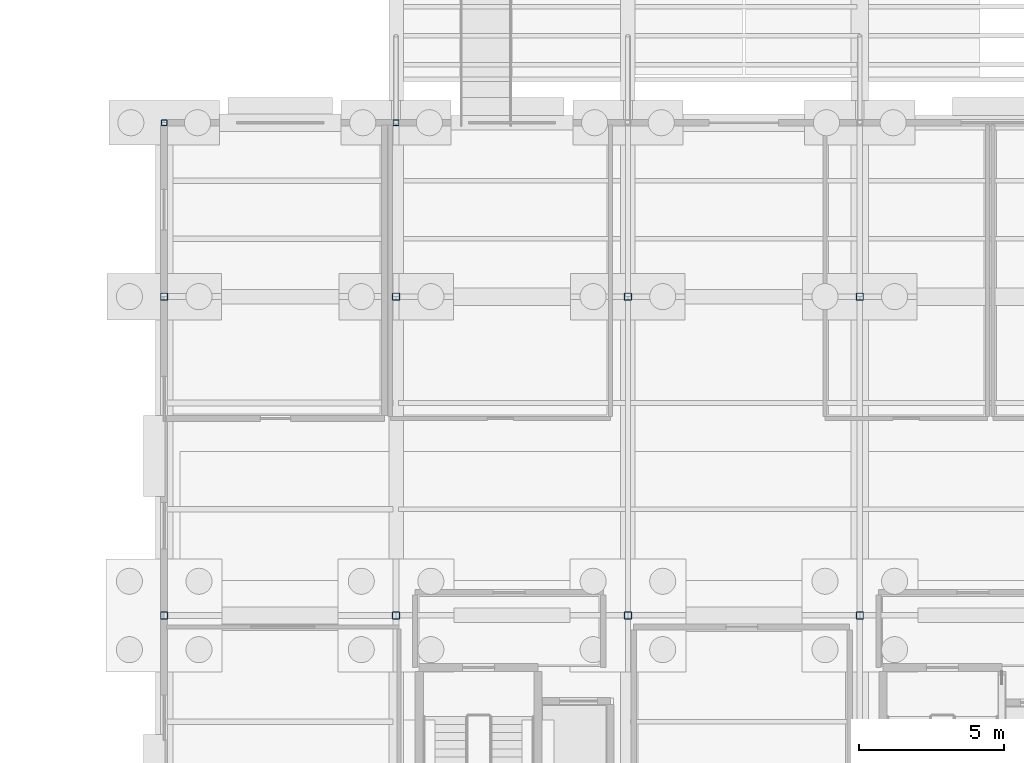
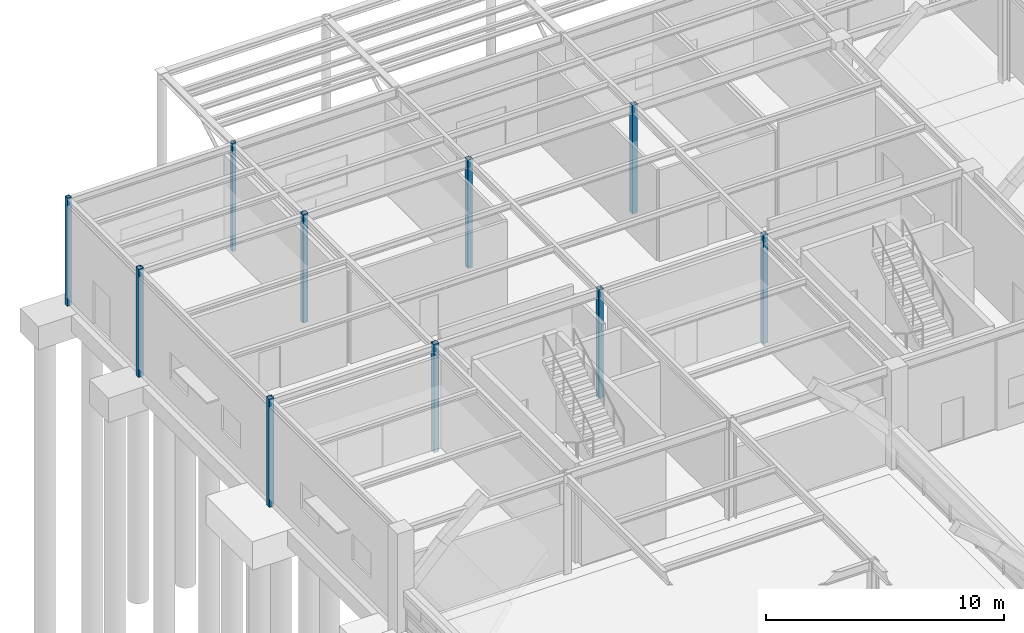
# One storey, part 20 of 129: 10 columns.
"""IFC4 building model written with IfcOpenShell, lengths in metres."""

import ifcopenshell
import ifcopenshell.guid

model = None  # the IFC model being written
_history = None  # IfcOwnerHistory: only IFC2X3 demands one
_inside = {}  # id of a spatial element -> (the spatial element, [elements in it])
_under = {}  # id of a project, library or spatial element -> (it, [spatial elements below it])
_declared = {}  # id of a project -> (the project, [libraries it declares])
_typed = {}  # id of a type object -> (the type object, [elements of that type])
_made_of = {}  # id of a material, layer set ... -> (it, [elements and type objects made of it])


def new_model(schema):
    """Start an empty IFC model of exactly this schema.

    Asked for "IFC4X3", IfcOpenShell would pick the latest addendum, in which some entities
    have other attributes; the version numbers below select the first issue.
    IFC2X3 requires an IfcOwnerHistory on every rooted entity: one is made here for all.
    """
    global model, _history
    if schema == "IFC4X3":
        model = ifcopenshell.file(schema_version=(4, 3, 0, 0))
    else:
        model = ifcopenshell.file(schema=schema)
    _inside.clear()
    _under.clear()
    _declared.clear()
    _typed.clear()
    _made_of.clear()
    _history = None
    if model.schema == "IFC2X3":
        org = make("IfcOrganization", Name="unknown")
        user = make(
            "IfcPersonAndOrganization",
            ThePerson=make("IfcPerson", FamilyName="unknown"),
            TheOrganization=org,
        )
        app = make(
            "IfcApplication",
            ApplicationDeveloper=org,
            Version="unknown",
            ApplicationFullName="unknown",
            ApplicationIdentifier="unknown",
        )
        _history = make(
            "IfcOwnerHistory",
            OwningUser=user,
            OwningApplication=app,
            ChangeAction="ADDED",
            CreationDate=0,
        )
    return model


def make(cls, **values):
    """One entity of the class cls with the attributes given. An attribute that is None is left unset."""
    return model.create_entity(
        cls, **{name: value for name, value in values.items() if value is not None}
    )


def rooted(cls, **values):
    """An entity with a GlobalId (a new one), such as an element, a storey or a relation."""
    return make(cls, GlobalId=ifcopenshell.guid.new(), OwnerHistory=_history, **values)


def si_unit(unit_type, name, prefix=None):
    """IfcSIUnit, for example si_unit("LENGTHUNIT", "METRE", prefix="MILLI")."""
    return make("IfcSIUnit", UnitType=unit_type, Prefix=prefix, Name=name)


def assignment(units):
    """IfcUnitAssignment: the units of a project."""
    return None if units is None else make("IfcUnitAssignment", Units=units)


def point(xyz):
    """IfcCartesianPoint."""
    return None if xyz is None else make("IfcCartesianPoint", Coordinates=xyz)


def direction(xyz):
    """IfcDirection."""
    return None if xyz is None else make("IfcDirection", DirectionRatios=xyz)


def frame(location, z_axis=None, x_axis=None):
    """IfcAxis2Placement3D, a coordinate frame: its origin and axes. An axis left out is left unset."""
    return make(
        "IfcAxis2Placement3D",
        Location=point(location),
        Axis=direction(z_axis),
        RefDirection=direction(x_axis),
    )


def frame_2d(location, x_axis=None):
    """IfcAxis2Placement2D, a coordinate frame in the plane: its origin and x axis."""
    return make(
        "IfcAxis2Placement2D", Location=point(location), RefDirection=direction(x_axis)
    )


def origin():
    """The frame at (0, 0, 0) with its axes left unset."""
    return frame((0.0, 0.0, 0.0))


def origin_2d():
    """The frame at (0, 0) in the plane with its x axis left unset."""
    return frame_2d((0.0, 0.0))


def place(relative_to, where):
    """IfcLocalPlacement: puts the frame where relative to a parent placement (None: the world)."""
    return make(
        "IfcLocalPlacement", PlacementRelTo=relative_to, RelativePlacement=where
    )


def context(
    kind, dimensions, precision=None, world=None, true_north=None, identifier=None
):
    """IfcGeometricRepresentationContext, for example the 3D "Model" context."""
    return make(
        "IfcGeometricRepresentationContext",
        ContextIdentifier=identifier,
        ContextType=kind,
        CoordinateSpaceDimension=dimensions,
        Precision=precision,
        WorldCoordinateSystem=world,
        TrueNorth=true_north,
    )


def subcontext(parent, identifier, kind, view, scale=None):
    """IfcGeometricRepresentationSubContext, for example "Body" below "Model"."""
    return make(
        "IfcGeometricRepresentationSubContext",
        ContextIdentifier=identifier,
        ContextType=kind,
        ParentContext=parent,
        TargetScale=scale,
        TargetView=view,
    )


def project(units=None, contexts=None):
    """IfcProject with its units and contexts."""
    return rooted(
        "IfcProject",
        Name="project",
        RepresentationContexts=contexts,
        UnitsInContext=assignment(units),
    )


def spatial(cls, under=None, at=None, **own):
    """A site, building, storey or space (cls), placed at a placement, below another one or the project."""
    s = rooted(cls, ObjectPlacement=at, **own)
    if under is not None:
        _under.setdefault(under.id(), (under, []))[1].append(s)
    return s


def profile(cls, at=None, kind="AREA", **sizes):
    """A parametric profile (cls). Its sizes go by their IFC names, for example OverallWidth=200.0."""
    return make(cls, ProfileType=kind, Position=at, **sizes)


def hollow_rectangle(**sizes):
    """IfcRectangleHollowProfileDef."""
    return profile("IfcRectangleHollowProfileDef", **sizes)


def extrude(swept, where, along, depth):
    """IfcExtrudedAreaSolid: the profile swept, set in the frame where, extruded along a direction by depth."""
    return make(
        "IfcExtrudedAreaSolid",
        SweptArea=swept,
        Position=where,
        ExtrudedDirection=direction(along),
        Depth=depth,
    )


def shape(context_of_items, identifier, shape_type, items):
    """IfcShapeRepresentation: the items that make up one representation, for example the "Body"."""
    return make(
        "IfcShapeRepresentation",
        ContextOfItems=context_of_items,
        RepresentationIdentifier=identifier,
        RepresentationType=shape_type,
        Items=items,
    )


def material(Name=None, Category=None):
    """IfcMaterial."""
    return make("IfcMaterial", Name=Name, Category=Category)


def material_profile(
    of_material, cross_section, Name=None, Category=None, Priority=None
):
    """IfcMaterialProfile: a cross section and its material."""
    return make(
        "IfcMaterialProfile",
        Name=Name,
        Material=of_material,
        Profile=cross_section,
        Priority=Priority,
        Category=Category,
    )


def profile_set(profiles, Name=None, composite=None):
    """IfcMaterialProfileSet."""
    return make(
        "IfcMaterialProfileSet",
        Name=Name,
        MaterialProfiles=profiles,
        CompositeProfile=composite,
    )


def made_of(thing, what):
    """Note that an element or type object is made of a material, layer set ...; save() writes the relation."""
    if what is not None:
        _made_of.setdefault(what.id(), (what, []))[1].append(thing)
    return thing


def type_object(cls, material=None, **own):
    """A type object (cls), such as IfcWallType, which elements share."""
    return made_of(rooted(cls, **own), material)


def element(
    cls,
    number,
    at=None,
    inside=None,
    cuts=None,
    type_object=None,
    material=None,
    context=None,
    identifier="Body",
    shape_type=None,
    held_by="IfcProductDefinitionShape",
    body=None,
    shapes=None,
    **own,
):
    """One element of the class cls, such as IfcWall. Its Tag is "e" and its number.

    at: its placement. inside: the storey or other place that contains it. cuts: it is an
    opening in that element (IfcRelVoidsElement). A single representation is given by context,
    identifier, shape_type and body (its items); several are given by shapes. held_by: the class
    of the entity that holds the representations. save() writes the other relations.
    """
    e = rooted(cls, Tag="e%d" % number, ObjectPlacement=at, **own)
    if body is not None:
        shapes = [shape(context, identifier, shape_type, body)]
    if shapes is not None:
        e.Representation = make(held_by, Representations=shapes)
    if inside is not None:
        _inside.setdefault(inside.id(), (inside, []))[1].append(e)
    if cuts is not None:
        rooted(
            "IfcRelVoidsElement", RelatingBuildingElement=cuts, RelatedOpeningElement=e
        )
    if type_object is not None:
        _typed.setdefault(type_object.id(), (type_object, []))[1].append(e)
    return made_of(e, material)


def aggregate(whole, parts):
    """IfcRelAggregates: a whole, such as a stair, and the parts it consists of."""
    return rooted("IfcRelAggregates", RelatingObject=whole, RelatedObjects=parts)


def save(model, path):
    """Write the relations noted so far, then the file.

    IfcRelAggregates (storeys below a building ...), IfcRelContainedInSpatialStructure (elements
    in a storey), IfcRelDefinesByType, IfcRelAssociatesMaterial and IfcRelDeclares: one each for
    every whole, place, type object, material and project.
    """
    for whole, parts in _under.values():
        aggregate(whole, parts)
    for where, things in _inside.values():
        rooted(
            "IfcRelContainedInSpatialStructure",
            RelatedElements=things,
            RelatingStructure=where,
        )
    for kind, things in _typed.values():
        rooted("IfcRelDefinesByType", RelatedObjects=things, RelatingType=kind)
    for what, things in _made_of.values():
        rooted("IfcRelAssociatesMaterial", RelatedObjects=things, RelatingMaterial=what)
    for by, libraries in _declared.values():
        rooted("IfcRelDeclares", RelatingContext=by, RelatedDefinitions=libraries)
    model.write(path)


model = new_model("IFC4")

# Units and contexts
model_context = context("Model", 3, precision=1e-05, world=origin(), true_north=direction((0.0, 1.0)))
body_context = subcontext(model_context, "Body", "Model", "MODEL_VIEW")
ifc_project = project(units=[si_unit("LENGTHUNIT", "METRE"), si_unit("AREAUNIT", "SQUARE_METRE"), si_unit("VOLUMEUNIT", "CUBIC_METRE"), si_unit("PLANEANGLEUNIT", "RADIAN"), si_unit("MASSUNIT", "GRAM", prefix="KILO")], contexts=[model_context])

# Site, building, storey
site_placement = place(None, origin())
site = spatial("IfcSite", under=ifc_project, at=site_placement, CompositionType="ELEMENT")
building_placement = place(site_placement, origin())
building = spatial("IfcBuilding", under=site, at=building_placement, Name="Sitalva Quay Ferry Terminal", CompositionType="ELEMENT")
storey_placement = place(building_placement, origin())
storey = spatial("IfcBuildingStorey", under=building, at=storey_placement, Name="L01", CompositionType="ELEMENT", Elevation=0.0)

# Columns
ifc_material_1 = material(Name="Structural Steel S355JR", Category="steel")
ifc_material_profile_1 = material_profile(ifc_material_1, hollow_rectangle(XDim=0.199951171875, YDim=0.199951171875, WallThickness=0.010009765625, InnerFilletRadius=0.010009765625, OuterFilletRadius=0.02001953125, at=origin_2d()), Name="SHS200x200x10")
ifc_profile_set_1 = profile_set([ifc_material_profile_1], Name="Structural Steel S355JR")
column_type_1 = type_object("IfcColumnType", Name="Col_SHS200x10", PredefinedType="COLUMN", material=ifc_profile_set_1)
for number, where, z_axis, x_axis, name in (
    (1, (8.0, 106.0, -0.449951171875), (0.0, 0.0, 1.0), (1.0, 0.0, 0.0), "L01 column 2M"),
    (2, (16.0, 106.0, -0.449951171875), (0.0, 0.0, 1.0), (1.0, 0.0, 0.0), "L01 column 3M"),
):
    element("IfcColumn", number, at=place(storey_placement, frame(where, z_axis=z_axis, x_axis=x_axis)), inside=storey, type_object=column_type_1, Name=name, PredefinedType="COLUMN", context=body_context, shape_type="SweptSolid", body=[
        extrude(hollow_rectangle(XDim=0.199951171875, YDim=0.199951171875, WallThickness=0.010009765625, InnerFilletRadius=0.010009765625, OuterFilletRadius=0.02001953125, at=origin_2d()), origin(), (0.0, 0.0, 1.0), 5.570068359375),
    ])
ifc_material_2 = material(Name="Structural Steel S355JR", Category="steel")
ifc_material_profile_2 = material_profile(ifc_material_2, hollow_rectangle(XDim=0.25, YDim=0.25, WallThickness=0.012451171875, InnerFilletRadius=0.012451171875, OuterFilletRadius=0.02490234375, at=origin_2d()), Name="SHS250x250x12.5")
ifc_profile_set_2 = profile_set([ifc_material_profile_2], Name="Structural Steel S355JR")
column_type_2 = type_object("IfcColumnType", Name="Col_SHS250x12", PredefinedType="COLUMN", material=ifc_profile_set_2)
for number, where, z_axis, x_axis, name in (
    (3, (8.0, 89.0, -0.449951171875), (0.0, 0.0, 1.0), (1.0, 0.0, 0.0), "L01 column 2K"),
    (4, (16.0, 89.0, -0.449951171875), (0.0, 0.0, 1.0), (1.0, 0.0, 0.0), "L01 column 3K"),
    (5, (24.0, 89.0, -0.449951171875), (0.0, 0.0, 1.0), (1.0, 0.0, 0.0), "L01 column 4K"),
    (6, (32.0, 89.0, -0.449951171875), (0.0, 0.0, 1.0), (1.0, 0.0, 0.0), "L01 column 5K"),
    (7, (8.0, 100.0, -0.449951171875), (0.0, 0.0, 1.0), (1.0, 0.0, 0.0), "L01 column 2L"),
    (8, (16.0, 100.0, -0.449951171875), (0.0, 0.0, 1.0), (1.0, 0.0, 0.0), "L01 column 3L"),
    (9, (24.0, 100.0, -0.449951171875), (0.0, 0.0, 1.0), (1.0, 0.0, 0.0), "L01 column 4L"),
    (10, (32.0, 100.0, -0.449951171875), (0.0, 0.0, 1.0), (1.0, 0.0, 0.0), "L01 column 5L"),
):
    element("IfcColumn", number, at=place(storey_placement, frame(where, z_axis=z_axis, x_axis=x_axis)), inside=storey, type_object=column_type_2, Name=name, PredefinedType="COLUMN", context=body_context, shape_type="SweptSolid", body=[
        extrude(hollow_rectangle(XDim=0.25, YDim=0.25, WallThickness=0.012451171875, InnerFilletRadius=0.012451171875, OuterFilletRadius=0.02490234375, at=origin_2d()), origin(), (0.0, 0.0, 1.0), 5.570068359375),
    ])

save(model, "model.ifc")
